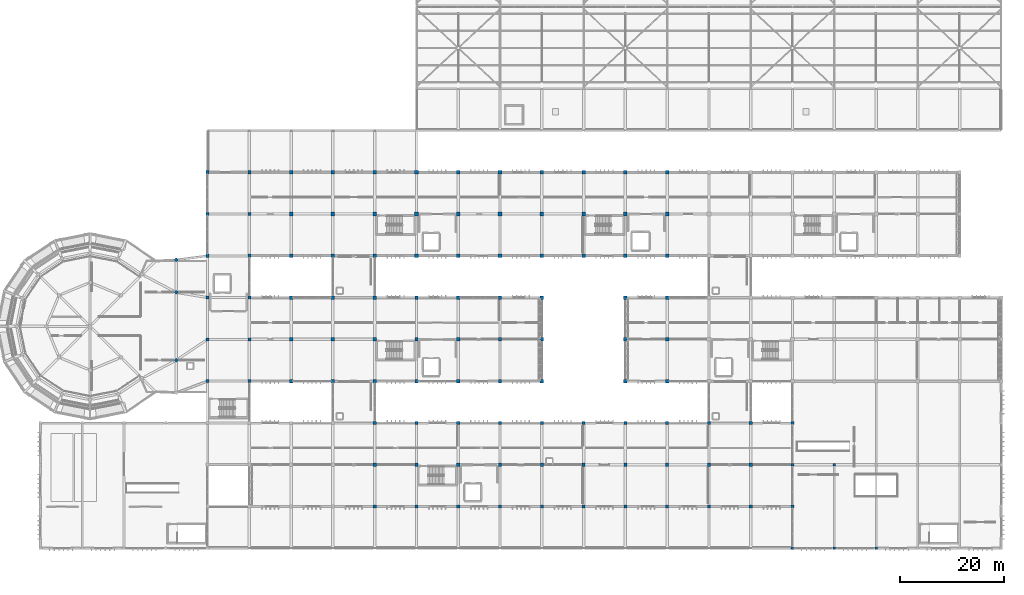
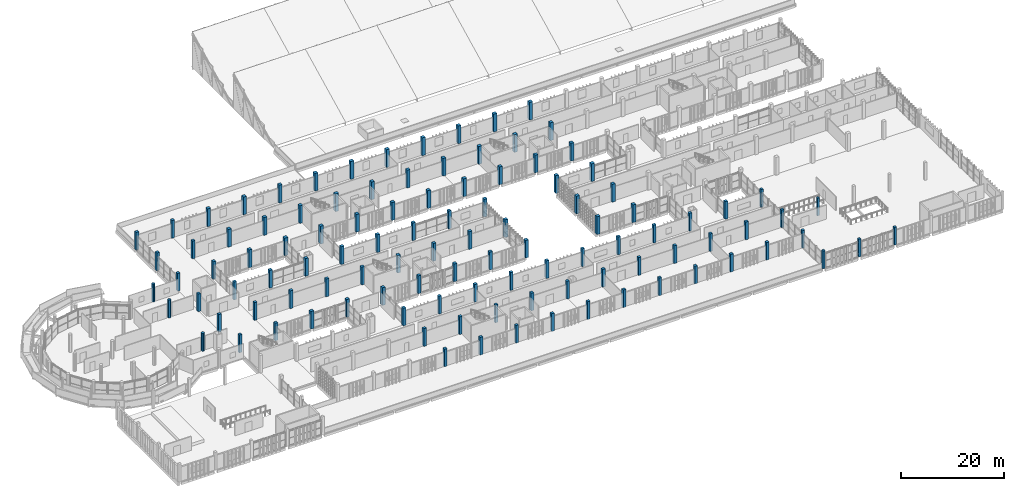
# One storey, part 6 of 137: 109 columns.
"""IFC4 building model written with IfcOpenShell, lengths in metres."""

import ifcopenshell
import ifcopenshell.guid

model = None  # the IFC model being written
_history = None  # IfcOwnerHistory: only IFC2X3 demands one
_inside = {}  # id of a spatial element -> (the spatial element, [elements in it])
_under = {}  # id of a project, library or spatial element -> (it, [spatial elements below it])
_declared = {}  # id of a project -> (the project, [libraries it declares])
_typed = {}  # id of a type object -> (the type object, [elements of that type])
_made_of = {}  # id of a material, layer set ... -> (it, [elements and type objects made of it])


def new_model(schema):
    """Start an empty IFC model of exactly this schema.

    Asked for "IFC4X3", IfcOpenShell would pick the latest addendum, in which some entities
    have other attributes; the version numbers below select the first issue.
    IFC2X3 requires an IfcOwnerHistory on every rooted entity: one is made here for all.
    """
    global model, _history
    if schema == "IFC4X3":
        model = ifcopenshell.file(schema_version=(4, 3, 0, 0))
    else:
        model = ifcopenshell.file(schema=schema)
    _inside.clear()
    _under.clear()
    _declared.clear()
    _typed.clear()
    _made_of.clear()
    _history = None
    if model.schema == "IFC2X3":
        org = make("IfcOrganization", Name="unknown")
        user = make(
            "IfcPersonAndOrganization",
            ThePerson=make("IfcPerson", FamilyName="unknown"),
            TheOrganization=org,
        )
        app = make(
            "IfcApplication",
            ApplicationDeveloper=org,
            Version="unknown",
            ApplicationFullName="unknown",
            ApplicationIdentifier="unknown",
        )
        _history = make(
            "IfcOwnerHistory",
            OwningUser=user,
            OwningApplication=app,
            ChangeAction="ADDED",
            CreationDate=0,
        )
    return model


def make(cls, **values):
    """One entity of the class cls with the attributes given. An attribute that is None is left unset."""
    return model.create_entity(
        cls, **{name: value for name, value in values.items() if value is not None}
    )


def rooted(cls, **values):
    """An entity with a GlobalId (a new one), such as an element, a storey or a relation."""
    return make(cls, GlobalId=ifcopenshell.guid.new(), OwnerHistory=_history, **values)


def si_unit(unit_type, name, prefix=None):
    """IfcSIUnit, for example si_unit("LENGTHUNIT", "METRE", prefix="MILLI")."""
    return make("IfcSIUnit", UnitType=unit_type, Prefix=prefix, Name=name)


def assignment(units):
    """IfcUnitAssignment: the units of a project."""
    return None if units is None else make("IfcUnitAssignment", Units=units)


def point(xyz):
    """IfcCartesianPoint."""
    return None if xyz is None else make("IfcCartesianPoint", Coordinates=xyz)


def direction(xyz):
    """IfcDirection."""
    return None if xyz is None else make("IfcDirection", DirectionRatios=xyz)


def frame(location, z_axis=None, x_axis=None):
    """IfcAxis2Placement3D, a coordinate frame: its origin and axes. An axis left out is left unset."""
    return make(
        "IfcAxis2Placement3D",
        Location=point(location),
        Axis=direction(z_axis),
        RefDirection=direction(x_axis),
    )


def frame_2d(location, x_axis=None):
    """IfcAxis2Placement2D, a coordinate frame in the plane: its origin and x axis."""
    return make(
        "IfcAxis2Placement2D", Location=point(location), RefDirection=direction(x_axis)
    )


def origin():
    """The frame at (0, 0, 0) with its axes left unset."""
    return frame((0.0, 0.0, 0.0))


def origin_2d():
    """The frame at (0, 0) in the plane with its x axis left unset."""
    return frame_2d((0.0, 0.0))


def place(relative_to, where):
    """IfcLocalPlacement: puts the frame where relative to a parent placement (None: the world)."""
    return make(
        "IfcLocalPlacement", PlacementRelTo=relative_to, RelativePlacement=where
    )


def context(
    kind, dimensions, precision=None, world=None, true_north=None, identifier=None
):
    """IfcGeometricRepresentationContext, for example the 3D "Model" context."""
    return make(
        "IfcGeometricRepresentationContext",
        ContextIdentifier=identifier,
        ContextType=kind,
        CoordinateSpaceDimension=dimensions,
        Precision=precision,
        WorldCoordinateSystem=world,
        TrueNorth=true_north,
    )


def subcontext(parent, identifier, kind, view, scale=None):
    """IfcGeometricRepresentationSubContext, for example "Body" below "Model"."""
    return make(
        "IfcGeometricRepresentationSubContext",
        ContextIdentifier=identifier,
        ContextType=kind,
        ParentContext=parent,
        TargetScale=scale,
        TargetView=view,
    )


def project(units=None, contexts=None):
    """IfcProject with its units and contexts."""
    return rooted(
        "IfcProject",
        Name="project",
        RepresentationContexts=contexts,
        UnitsInContext=assignment(units),
    )


def spatial(cls, under=None, at=None, **own):
    """A site, building, storey or space (cls), placed at a placement, below another one or the project."""
    s = rooted(cls, ObjectPlacement=at, **own)
    if under is not None:
        _under.setdefault(under.id(), (under, []))[1].append(s)
    return s


def profile(cls, at=None, kind="AREA", **sizes):
    """A parametric profile (cls). Its sizes go by their IFC names, for example OverallWidth=200.0."""
    return make(cls, ProfileType=kind, Position=at, **sizes)


def rectangle(**sizes):
    """IfcRectangleProfileDef."""
    return profile("IfcRectangleProfileDef", **sizes)


def circle(**sizes):
    """IfcCircleProfileDef."""
    return profile("IfcCircleProfileDef", **sizes)


def extrude(swept, where, along, depth):
    """IfcExtrudedAreaSolid: the profile swept, set in the frame where, extruded along a direction by depth."""
    return make(
        "IfcExtrudedAreaSolid",
        SweptArea=swept,
        Position=where,
        ExtrudedDirection=direction(along),
        Depth=depth,
    )


def shape(context_of_items, identifier, shape_type, items):
    """IfcShapeRepresentation: the items that make up one representation, for example the "Body"."""
    return make(
        "IfcShapeRepresentation",
        ContextOfItems=context_of_items,
        RepresentationIdentifier=identifier,
        RepresentationType=shape_type,
        Items=items,
    )


def material(Name=None, Category=None):
    """IfcMaterial."""
    return make("IfcMaterial", Name=Name, Category=Category)


def material_profile(
    of_material, cross_section, Name=None, Category=None, Priority=None
):
    """IfcMaterialProfile: a cross section and its material."""
    return make(
        "IfcMaterialProfile",
        Name=Name,
        Material=of_material,
        Profile=cross_section,
        Priority=Priority,
        Category=Category,
    )


def profile_set(profiles, Name=None, composite=None):
    """IfcMaterialProfileSet."""
    return make(
        "IfcMaterialProfileSet",
        Name=Name,
        MaterialProfiles=profiles,
        CompositeProfile=composite,
    )


def made_of(thing, what):
    """Note that an element or type object is made of a material, layer set ...; save() writes the relation."""
    if what is not None:
        _made_of.setdefault(what.id(), (what, []))[1].append(thing)
    return thing


def type_object(cls, material=None, **own):
    """A type object (cls), such as IfcWallType, which elements share."""
    return made_of(rooted(cls, **own), material)


def element(
    cls,
    number,
    at=None,
    inside=None,
    cuts=None,
    type_object=None,
    material=None,
    context=None,
    identifier="Body",
    shape_type=None,
    held_by="IfcProductDefinitionShape",
    body=None,
    shapes=None,
    **own,
):
    """One element of the class cls, such as IfcWall. Its Tag is "e" and its number.

    at: its placement. inside: the storey or other place that contains it. cuts: it is an
    opening in that element (IfcRelVoidsElement). A single representation is given by context,
    identifier, shape_type and body (its items); several are given by shapes. held_by: the class
    of the entity that holds the representations. save() writes the other relations.
    """
    e = rooted(cls, Tag="e%d" % number, ObjectPlacement=at, **own)
    if body is not None:
        shapes = [shape(context, identifier, shape_type, body)]
    if shapes is not None:
        e.Representation = make(held_by, Representations=shapes)
    if inside is not None:
        _inside.setdefault(inside.id(), (inside, []))[1].append(e)
    if cuts is not None:
        rooted(
            "IfcRelVoidsElement", RelatingBuildingElement=cuts, RelatedOpeningElement=e
        )
    if type_object is not None:
        _typed.setdefault(type_object.id(), (type_object, []))[1].append(e)
    return made_of(e, material)


def aggregate(whole, parts):
    """IfcRelAggregates: a whole, such as a stair, and the parts it consists of."""
    return rooted("IfcRelAggregates", RelatingObject=whole, RelatedObjects=parts)


def save(model, path):
    """Write the relations noted so far, then the file.

    IfcRelAggregates (storeys below a building ...), IfcRelContainedInSpatialStructure (elements
    in a storey), IfcRelDefinesByType, IfcRelAssociatesMaterial and IfcRelDeclares: one each for
    every whole, place, type object, material and project.
    """
    for whole, parts in _under.values():
        aggregate(whole, parts)
    for where, things in _inside.values():
        rooted(
            "IfcRelContainedInSpatialStructure",
            RelatedElements=things,
            RelatingStructure=where,
        )
    for kind, things in _typed.values():
        rooted("IfcRelDefinesByType", RelatedObjects=things, RelatingType=kind)
    for what, things in _made_of.values():
        rooted("IfcRelAssociatesMaterial", RelatedObjects=things, RelatingMaterial=what)
    for by, libraries in _declared.values():
        rooted("IfcRelDeclares", RelatingContext=by, RelatedDefinitions=libraries)
    model.write(path)


model = new_model("IFC4")

# Units and contexts
model_context = context("Model", 3, precision=1e-05, world=origin(), true_north=direction((0.0, 1.0)))
body_context = subcontext(model_context, "Body", "Model", "MODEL_VIEW")
ifc_project = project(units=[si_unit("LENGTHUNIT", "METRE"), si_unit("AREAUNIT", "SQUARE_METRE"), si_unit("VOLUMEUNIT", "CUBIC_METRE"), si_unit("PLANEANGLEUNIT", "RADIAN"), si_unit("MASSUNIT", "GRAM", prefix="KILO")], contexts=[model_context])

# Site, building, storey
site_placement = place(None, origin())
site = spatial("IfcSite", under=ifc_project, at=site_placement, CompositionType="ELEMENT")
building_placement = place(site_placement, origin())
building = spatial("IfcBuilding", under=site, at=building_placement, Name="Jelvoka-Kovrelna Polytechnic", CompositionType="ELEMENT")
storey_placement = place(building_placement, frame((0.0, 0.0, 9.60009765625)))
storey = spatial("IfcBuildingStorey", under=building, at=storey_placement, Name="L03", CompositionType="ELEMENT", Elevation=9.60009765625)

# Columns
ifc_material_1 = material(Name="Concrete C40/50", Category="concrete")
ifc_material_profile_1 = material_profile(ifc_material_1, rectangle(XDim=0.449951171875, YDim=0.449951171875, at=origin_2d()), Name="RC 450x450")
ifc_profile_set_1 = profile_set([ifc_material_profile_1], Name="Concrete C40/50")
column_type_1 = type_object("IfcColumnType", Name="Col_RC_450", PredefinedType="COLUMN", material=ifc_profile_set_1)
column_placement = place(storey_placement, frame((168.0, 16.0, 0.0), z_axis=(0.0, 0.0, 1.0), x_axis=(1.0, 0.0, 0.0)))
element("IfcColumn", 1, at=column_placement, inside=storey, type_object=column_type_1, Name="L03 column 0278", PredefinedType="COLUMN", context=body_context, shape_type="SweptSolid", body=[
    extrude(rectangle(XDim=0.449951171875, YDim=0.449951171875, at=origin_2d()), origin(), (0.0, 0.0, 1.0), 4.199951171875),
])
ifc_material_2 = material(Name="Concrete C40/50", Category="concrete")
ifc_material_profile_2 = material_profile(ifc_material_2, rectangle(XDim=0.5, YDim=0.5, at=origin_2d()), Name="RC 500x500")
ifc_profile_set_2 = profile_set([ifc_material_profile_2], Name="Concrete C40/50")
column_type_2 = type_object("IfcColumnType", Name="Col_RC_500", PredefinedType="COLUMN", material=ifc_profile_set_2)
for number, where, z_axis, x_axis, name in (
    (2, (160.0, 0.0, 0.0), (0.0, 0.0, 1.0), (0.0, 1.0, 0.0), "L03 column 0063"),
    (3, (168.0, 0.0, 0.0), (0.0, 0.0, 1.0), (0.0, 1.0, 0.0), "L03 column 0067"),
    (4, (176.0, 0.0, 0.0), (0.0, 0.0, 1.0), (0.0, 1.0, 0.0), "L03 column 0071"),
):
    element("IfcColumn", number, at=place(storey_placement, frame(where, z_axis=z_axis, x_axis=x_axis)), inside=storey, type_object=column_type_2, Name=name, PredefinedType="COLUMN", context=body_context, shape_type="SweptSolid", body=[
        extrude(rectangle(XDim=0.5, YDim=0.5, at=origin_2d()), origin(), (0.0, 0.0, 1.0), 4.199951171875),
    ])
ifc_material_3 = material(Name="Concrete C40/50", Category="concrete")
ifc_material_profile_3 = material_profile(ifc_material_3, rectangle(XDim=0.550048828125, YDim=0.550048828125, at=origin_2d()), Name="RC 550x550")
ifc_profile_set_3 = profile_set([ifc_material_profile_3], Name="Concrete C40/50")
column_type_3 = type_object("IfcColumnType", Name="Col_RC_550", PredefinedType="COLUMN", material=ifc_profile_set_3)
for number, where, z_axis, x_axis, name in (
    (5, (160.0, 8.0, 0.0), (0.0, 0.0, 1.0), (1.0, 0.0, 0.0), "L03 column 0172"),
    (6, (160.0, 16.0, 0.0), (0.0, 0.0, 1.0), (1.0, 0.0, 0.0), "L03 column 0273"),
    (7, (160.0, 24.0, 0.0), (0.0, 0.0, 1.0), (1.0, 0.0, 0.0), "L03 column 0398"),
):
    element("IfcColumn", number, at=place(storey_placement, frame(where, z_axis=z_axis, x_axis=x_axis)), inside=storey, type_object=column_type_3, Name=name, PredefinedType="COLUMN", context=body_context, shape_type="SweptSolid", body=[
        extrude(rectangle(XDim=0.550048828125, YDim=0.550048828125, at=origin_2d()), origin(), (0.0, 0.0, 1.0), 4.199951171875),
    ])
ifc_material_4 = material(Name="Concrete C40/50", Category="concrete")
ifc_material_profile_4 = material_profile(ifc_material_4, rectangle(XDim=0.60009765625, YDim=0.60009765625, at=origin_2d()), Name="RC 600x600")
ifc_profile_set_4 = profile_set([ifc_material_profile_4], Name="Concrete C40/50")
column_type_4 = type_object("IfcColumnType", Name="Col_RC_600", PredefinedType="COLUMN", material=ifc_profile_set_4)
for number, where, z_axis, x_axis, name in (
    (8, (80.0, 8.0, 0.0), (0.0, 0.0, 1.0), (1.0, 0.0, 0.0), "L03 column 0112"),
    (9, (88.0, 8.0, 0.0), (0.0, 0.0, 1.0), (1.0, 0.0, 0.0), "L03 column 0118"),
    (10, (96.0, 8.0, 0.0), (0.0, 0.0, 1.0), (1.0, 0.0, 0.0), "L03 column 0124"),
    (11, (104.0, 8.0, 0.0), (0.0, 0.0, 1.0), (1.0, 0.0, 0.0), "L03 column 0130"),
    (12, (112.0, 8.0, 0.0), (0.0, 0.0, 1.0), (1.0, 0.0, 0.0), "L03 column 0136"),
    (13, (120.0, 8.0, 0.0), (0.0, 0.0, 1.0), (1.0, 0.0, 0.0), "L03 column 0142"),
    (14, (128.0, 8.0, 0.0), (0.0, 0.0, 1.0), (1.0, 0.0, 0.0), "L03 column 0148"),
    (15, (136.0, 8.0, 0.0), (0.0, 0.0, 1.0), (1.0, 0.0, 0.0), "L03 column 0154"),
    (16, (144.0, 8.0, 0.0), (0.0, 0.0, 1.0), (1.0, 0.0, 0.0), "L03 column 0160"),
    (17, (152.0, 8.0, 0.0), (0.0, 0.0, 1.0), (1.0, 0.0, 0.0), "L03 column 0166"),
    (18, (80.0, 16.0, 0.0), (0.0, 0.0, 1.0), (1.0, 0.0, 0.0), "L03 column 0213"),
    (19, (88.0, 16.0, 0.0), (0.0, 0.0, 1.0), (1.0, 0.0, 0.0), "L03 column 0219"),
    (20, (96.0, 16.0, 0.0), (0.0, 0.0, 1.0), (1.0, 0.0, 0.0), "L03 column 0225"),
    (21, (104.0, 16.0, 0.0), (0.0, 0.0, 1.0), (1.0, 0.0, 0.0), "L03 column 0231"),
    (22, (112.0, 16.0, 0.0), (0.0, 0.0, 1.0), (1.0, 0.0, 0.0), "L03 column 0237"),
    (23, (120.0, 16.0, 0.0), (0.0, 0.0, 1.0), (1.0, 0.0, 0.0), "L03 column 0243"),
    (24, (128.0, 16.0, 0.0), (0.0, 0.0, 1.0), (1.0, 0.0, 0.0), "L03 column 0249"),
    (25, (136.0, 16.0, 0.0), (0.0, 0.0, 1.0), (1.0, 0.0, 0.0), "L03 column 0255"),
    (26, (144.0, 16.0, 0.0), (0.0, 0.0, 1.0), (1.0, 0.0, 0.0), "L03 column 0261"),
    (27, (152.0, 16.0, 0.0), (0.0, 0.0, 1.0), (1.0, 0.0, 0.0), "L03 column 0267"),
    (28, (80.0, 24.0, 0.0), (0.0, 0.0, 1.0), (1.0, 0.0, 0.0), "L03 column 0338"),
    (29, (88.0, 24.0, 0.0), (0.0, 0.0, 1.0), (1.0, 0.0, 0.0), "L03 column 0344"),
    (30, (96.0, 24.0, 0.0), (0.0, 0.0, 1.0), (1.0, 0.0, 0.0), "L03 column 0350"),
    (31, (104.0, 24.0, 0.0), (0.0, 0.0, 1.0), (1.0, 0.0, 0.0), "L03 column 0356"),
    (32, (112.0, 24.0, 0.0), (0.0, 0.0, 1.0), (1.0, 0.0, 0.0), "L03 column 0362"),
    (33, (120.0, 24.0, 0.0), (0.0, 0.0, 1.0), (1.0, 0.0, 0.0), "L03 column 0368"),
    (34, (128.0, 24.0, 0.0), (0.0, 0.0, 1.0), (1.0, 0.0, 0.0), "L03 column 0374"),
    (35, (136.0, 24.0, 0.0), (0.0, 0.0, 1.0), (1.0, 0.0, 0.0), "L03 column 0380"),
    (36, (144.0, 24.0, 0.0), (0.0, 0.0, 1.0), (1.0, 0.0, 0.0), "L03 column 0386"),
    (37, (152.0, 24.0, 0.0), (0.0, 0.0, 1.0), (1.0, 0.0, 0.0), "L03 column 0392"),
    (38, (48.0, 32.0, 0.0), (0.0, 0.0, 1.0), (1.0, 0.0, 0.0), "L03 column 0435"),
    (39, (56.0, 32.0, 0.0), (0.0, 0.0, 1.0), (1.0, 0.0, 0.0), "L03 column 0441"),
    (40, (48.0, 40.0, 0.0), (0.0, 0.0, 1.0), (1.0, 0.0, 0.0), "L03 column 0617"),
    (41, (56.0, 40.0, 0.0), (0.0, 0.0, 1.0), (1.0, 0.0, 0.0), "L03 column 0623"),
    (42, (48.0, 48.0, 0.0), (0.0, 0.0, 1.0), (1.0, 0.0, 0.0), "L03 column 0781"),
    (43, (56.0, 48.0, 0.0), (0.0, 0.0, 1.0), (1.0, 0.0, 0.0), "L03 column 0787"),
    (44, (48.0, 56.0, 0.0), (0.0, 0.0, 1.0), (1.0, 0.0, 0.0), "L03 column 0975"),
    (45, (56.0, 56.0, 0.0), (0.0, 0.0, 1.0), (1.0, 0.0, 0.0), "L03 column 0981"),
    (46, (48.0, 64.0, 0.0), (0.0, 0.0, 1.0), (1.0, 0.0, 0.0), "L03 column 1142"),
    (47, (56.0, 64.0, 0.0), (0.0, 0.0, 1.0), (1.0, 0.0, 0.0), "L03 column 1148"),
    (48, (48.0, 72.0, 0.0), (0.0, 0.0, 1.0), (1.0, 0.0, 0.0), "L03 column 1303"),
    (49, (56.0, 72.0, 0.0), (0.0, 0.0, 1.0), (1.0, 0.0, 0.0), "L03 column 1309"),
):
    element("IfcColumn", number, at=place(storey_placement, frame(where, z_axis=z_axis, x_axis=x_axis)), inside=storey, type_object=column_type_4, Name=name, PredefinedType="COLUMN", context=body_context, shape_type="SweptSolid", body=[
        extrude(rectangle(XDim=0.60009765625, YDim=0.60009765625, at=origin_2d()), origin(), (0.0, 0.0, 1.0), 4.199951171875),
    ])
ifc_material_5 = material(Name="Concrete C40/50", Category="concrete")
ifc_material_profile_5 = material_profile(ifc_material_5, rectangle(XDim=0.64990234375, YDim=0.64990234375, at=origin_2d()), Name="RC 650x650")
ifc_profile_set_5 = profile_set([ifc_material_profile_5], Name="Concrete C40/50")
column_type_5 = type_object("IfcColumnType", Name="Col_RC_650", PredefinedType="COLUMN", material=ifc_profile_set_5)
for number, where, z_axis, x_axis, name in (
    (50, (64.0, 32.0, 0.0), (0.0, 0.0, 1.0), (1.0, 0.0, 0.0), "L03 column 0447"),
    (51, (72.0, 32.0, 0.0), (0.0, 0.0, 1.0), (1.0, 0.0, 0.0), "L03 column 0454"),
    (52, (80.0, 32.0, 0.0), (0.0, 0.0, 1.0), (1.0, 0.0, 0.0), "L03 column 0461"),
    (53, (88.0, 32.0, 0.0), (0.0, 0.0, 1.0), (1.0, 0.0, 0.0), "L03 column 0468"),
    (54, (96.0, 32.0, 0.0), (0.0, 0.0, 1.0), (1.0, 0.0, 0.0), "L03 column 0475"),
    (55, (104.0, 32.0, 0.0), (0.0, 0.0, 1.0), (1.0, 0.0, 0.0), "L03 column 0482"),
    (56, (112.0, 32.0, 0.0), (0.0, 0.0, 1.0), (1.0, 0.0, 0.0), "L03 column 0489"),
    (57, (64.0, 40.0, 0.0), (0.0, 0.0, 1.0), (1.0, 0.0, 0.0), "L03 column 0629"),
    (58, (72.0, 40.0, 0.0), (0.0, 0.0, 1.0), (1.0, 0.0, 0.0), "L03 column 0636"),
    (59, (80.0, 40.0, 0.0), (0.0, 0.0, 1.0), (1.0, 0.0, 0.0), "L03 column 0643"),
    (60, (88.0, 40.0, 0.0), (0.0, 0.0, 1.0), (1.0, 0.0, 0.0), "L03 column 0650"),
    (61, (96.0, 40.0, 0.0), (0.0, 0.0, 1.0), (1.0, 0.0, 0.0), "L03 column 0657"),
    (62, (104.0, 40.0, 0.0), (0.0, 0.0, 1.0), (1.0, 0.0, 0.0), "L03 column 0664"),
    (63, (112.0, 40.0, 0.0), (0.0, 0.0, 1.0), (1.0, 0.0, 0.0), "L03 column 0671"),
    (64, (64.0, 48.0, 0.0), (0.0, 0.0, 1.0), (1.0, 0.0, 0.0), "L03 column 0793"),
    (65, (72.0, 48.0, 0.0), (0.0, 0.0, 1.0), (1.0, 0.0, 0.0), "L03 column 0800"),
    (66, (80.0, 48.0, 0.0), (0.0, 0.0, 1.0), (1.0, 0.0, 0.0), "L03 column 0807"),
    (67, (88.0, 48.0, 0.0), (0.0, 0.0, 1.0), (1.0, 0.0, 0.0), "L03 column 0814"),
    (68, (96.0, 48.0, 0.0), (0.0, 0.0, 1.0), (1.0, 0.0, 0.0), "L03 column 0821"),
    (69, (104.0, 48.0, 0.0), (0.0, 0.0, 1.0), (1.0, 0.0, 0.0), "L03 column 0828"),
    (70, (112.0, 48.0, 0.0), (0.0, 0.0, 1.0), (1.0, 0.0, 0.0), "L03 column 0835"),
):
    element("IfcColumn", number, at=place(storey_placement, frame(where, z_axis=z_axis, x_axis=x_axis)), inside=storey, type_object=column_type_5, Name=name, PredefinedType="COLUMN", context=body_context, shape_type="SweptSolid", body=[
        extrude(rectangle(XDim=0.64990234375, YDim=0.64990234375, at=origin_2d()), origin(), (0.0, 0.0, 1.0), 4.199951171875),
    ])
ifc_material_6 = material(Name="Concrete C40/50", Category="concrete")
ifc_material_profile_6 = material_profile(ifc_material_6, rectangle(XDim=0.699951171875, YDim=0.699951171875, at=origin_2d()), Name="RC 700x700")
ifc_profile_set_6 = profile_set([ifc_material_profile_6], Name="Concrete C40/50")
column_type_6 = type_object("IfcColumnType", Name="Col_RC_700", PredefinedType="COLUMN", material=ifc_profile_set_6)
for number, where, z_axis, x_axis, name in (
    (71, (128.0, 32.0, 0.0), (0.0, 0.0, 1.0), (1.0, 0.0, 0.0), "L03 column 0497"),
    (72, (136.0, 32.0, 0.0), (0.0, 0.0, 1.0), (1.0, 0.0, 0.0), "L03 column 0505"),
    (73, (128.0, 40.0, 0.0), (0.0, 0.0, 1.0), (1.0, 0.0, 0.0), "L03 column 0679"),
    (74, (136.0, 40.0, 0.0), (0.0, 0.0, 1.0), (1.0, 0.0, 0.0), "L03 column 0687"),
    (75, (128.0, 48.0, 0.0), (0.0, 0.0, 1.0), (1.0, 0.0, 0.0), "L03 column 0843"),
    (76, (136.0, 48.0, 0.0), (0.0, 0.0, 1.0), (1.0, 0.0, 0.0), "L03 column 0851"),
    (77, (64.0, 56.0, 0.0), (0.0, 0.0, 1.0), (1.0, 0.0, 0.0), "L03 column 0987"),
    (78, (72.0, 56.0, 0.0), (0.0, 0.0, 1.0), (1.0, 0.0, 0.0), "L03 column 0995"),
    (79, (80.0, 56.0, 0.0), (0.0, 0.0, 1.0), (1.0, 0.0, 0.0), "L03 column 1004"),
    (80, (88.0, 56.0, 0.0), (0.0, 0.0, 1.0), (1.0, 0.0, 0.0), "L03 column 1013"),
    (81, (96.0, 56.0, 0.0), (0.0, 0.0, 1.0), (1.0, 0.0, 0.0), "L03 column 1022"),
    (82, (104.0, 56.0, 0.0), (0.0, 0.0, 1.0), (1.0, 0.0, 0.0), "L03 column 1031"),
    (83, (112.0, 56.0, 0.0), (0.0, 0.0, 1.0), (1.0, 0.0, 0.0), "L03 column 1040"),
    (84, (120.0, 56.0, 0.0), (0.0, 0.0, 1.0), (1.0, 0.0, 0.0), "L03 column 1049"),
    (85, (128.0, 56.0, 0.0), (0.0, 0.0, 1.0), (1.0, 0.0, 0.0), "L03 column 1058"),
    (86, (136.0, 56.0, 0.0), (0.0, 0.0, 1.0), (1.0, 0.0, 0.0), "L03 column 1067"),
    (87, (64.0, 64.0, 0.0), (0.0, 0.0, 1.0), (1.0, 0.0, 0.0), "L03 column 1154"),
    (88, (72.0, 64.0, 0.0), (0.0, 0.0, 1.0), (1.0, 0.0, 0.0), "L03 column 1162"),
    (89, (80.0, 64.0, 0.0), (0.0, 0.0, 1.0), (1.0, 0.0, 0.0), "L03 column 1171"),
    (90, (88.0, 64.0, 0.0), (0.0, 0.0, 1.0), (1.0, 0.0, 0.0), "L03 column 1180"),
    (91, (96.0, 64.0, 0.0), (0.0, 0.0, 1.0), (1.0, 0.0, 0.0), "L03 column 1189"),
    (92, (104.0, 64.0, 0.0), (0.0, 0.0, 1.0), (1.0, 0.0, 0.0), "L03 column 1198"),
    (93, (112.0, 64.0, 0.0), (0.0, 0.0, 1.0), (1.0, 0.0, 0.0), "L03 column 1207"),
    (94, (120.0, 64.0, 0.0), (0.0, 0.0, 1.0), (1.0, 0.0, 0.0), "L03 column 1216"),
    (95, (128.0, 64.0, 0.0), (0.0, 0.0, 1.0), (1.0, 0.0, 0.0), "L03 column 1225"),
    (96, (136.0, 64.0, 0.0), (0.0, 0.0, 1.0), (1.0, 0.0, 0.0), "L03 column 1234"),
    (97, (64.0, 72.0, 0.0), (0.0, 0.0, 1.0), (1.0, 0.0, 0.0), "L03 column 1315"),
    (98, (72.0, 72.0, 0.0), (0.0, 0.0, 1.0), (1.0, 0.0, 0.0), "L03 column 1323"),
    (99, (80.0, 72.0, 0.0), (0.0, 0.0, 1.0), (1.0, 0.0, 0.0), "L03 column 1332"),
    (100, (88.0, 72.0, 0.0), (0.0, 0.0, 1.0), (1.0, 0.0, 0.0), "L03 column 1341"),
    (101, (96.0, 72.0, 0.0), (0.0, 0.0, 1.0), (1.0, 0.0, 0.0), "L03 column 1350"),
    (102, (104.0, 72.0, 0.0), (0.0, 0.0, 1.0), (1.0, 0.0, 0.0), "L03 column 1359"),
    (103, (112.0, 72.0, 0.0), (0.0, 0.0, 1.0), (1.0, 0.0, 0.0), "L03 column 1368"),
    (104, (120.0, 72.0, 0.0), (0.0, 0.0, 1.0), (1.0, 0.0, 0.0), "L03 column 1377"),
    (105, (128.0, 72.0, 0.0), (0.0, 0.0, 1.0), (1.0, 0.0, 0.0), "L03 column 1386"),
    (106, (136.0, 72.0, 0.0), (0.0, 0.0, 1.0), (1.0, 0.0, 0.0), "L03 column 1395"),
):
    element("IfcColumn", number, at=place(storey_placement, frame(where, z_axis=z_axis, x_axis=x_axis)), inside=storey, type_object=column_type_6, Name=name, PredefinedType="COLUMN", context=body_context, shape_type="SweptSolid", body=[
        extrude(rectangle(XDim=0.699951171875, YDim=0.699951171875, at=origin_2d()), origin(), (0.0, 0.0, 1.0), 4.199951171875),
    ])
ifc_material_7 = material(Name="Concrete C40/50", Category="concrete")
ifc_material_profile_7 = material_profile(ifc_material_7, circle(Radius=0.324951171875, at=origin_2d()), Name="RC D650")
ifc_profile_set_7 = profile_set([ifc_material_profile_7], Name="Concrete C40/50")
column_type_7 = type_object("IfcColumnType", Name="Col_RC_D650", PredefinedType="COLUMN", material=ifc_profile_set_7)
for number, where, z_axis, x_axis, name in (
    (107, (42.0, 36.0, 0.0), (0.0, 0.0, 1.0), (1.0, 0.0, 0.0), "L03 column 0593"),
    (108, (42.0, 49.0, 0.0), (0.0, 0.0, 1.0), (1.0, 0.0, 0.0), "L03 column 0933"),
    (109, (42.0, 55.227783203125, 0.0), (0.0, 0.0, 1.0), (1.0, 0.0, 0.0), "L03 column 0957"),
):
    element("IfcColumn", number, at=place(storey_placement, frame(where, z_axis=z_axis, x_axis=x_axis)), inside=storey, type_object=column_type_7, Name=name, PredefinedType="COLUMN", context=body_context, shape_type="SweptSolid", body=[
        extrude(circle(Radius=0.324951171875, at=origin_2d()), origin(), (0.0, 0.0, 1.0), 4.199951171875),
    ])

save(model, "model.ifc")
